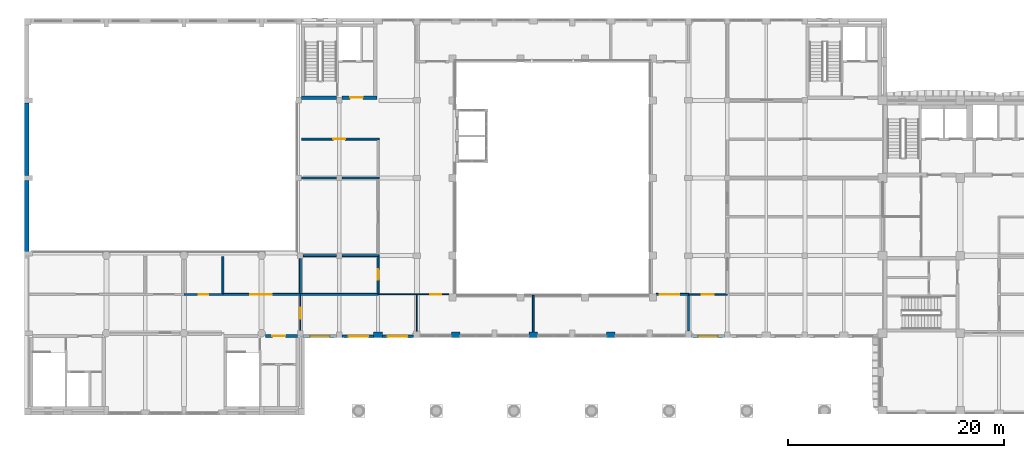
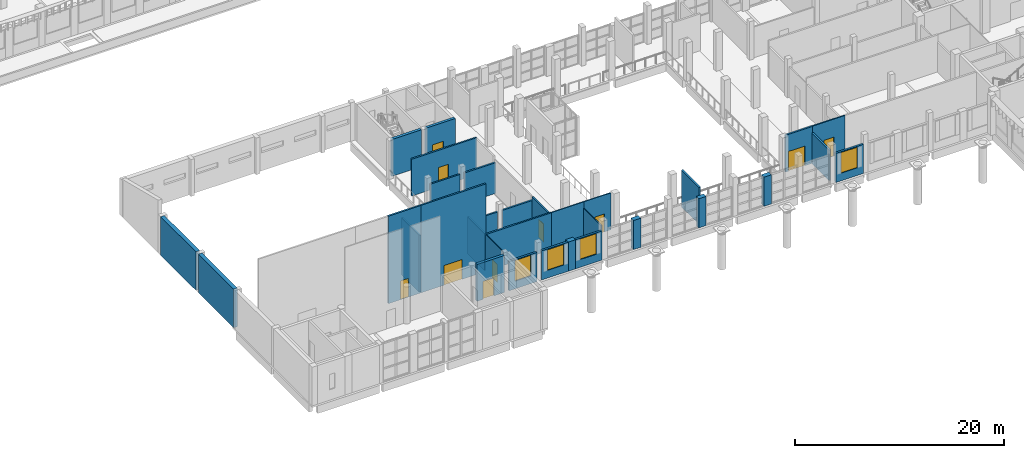
# One storey, part 19 of 59: 32 walls, 10 doors, 4 windows, 14 openings.
"""IFC4 building model written with IfcOpenShell, lengths in metres."""

from ifc_helpers import new_model, si_unit, direction, frame, frame_2d, origin, place, context, subcontext, project, spatial, rectangle, extrude, material, layer, layer_set, type_object, element, fill, save


model = new_model("IFC4")

# Units and contexts
model_context = context("Model", 3, precision=1e-05, world=origin(), true_north=direction((0.0, 1.0)))
body_context = subcontext(model_context, "Body", "Model", "MODEL_VIEW")
ifc_project = project(units=[si_unit("LENGTHUNIT", "METRE"), si_unit("AREAUNIT", "SQUARE_METRE"), si_unit("VOLUMEUNIT", "CUBIC_METRE"), si_unit("PLANEANGLEUNIT", "RADIAN"), si_unit("MASSUNIT", "GRAM", prefix="KILO")], contexts=[model_context])

# Site, building, storey
site_placement = place(None, origin())
site = spatial("IfcSite", under=ifc_project, at=site_placement, CompositionType="ELEMENT")
building_placement = place(site_placement, origin())
building = spatial("IfcBuilding", under=site, at=building_placement, Name="Ussher Court Research Institute", CompositionType="ELEMENT")
storey_placement = place(building_placement, frame((0.0, 0.0, 5.39990234375)))
storey = spatial("IfcBuildingStorey", under=building, at=storey_placement, Name="L01", CompositionType="ELEMENT", Elevation=5.39990234375)

# Wall, opening, door
ifc_material_1 = material(Name="Plasterboard on steel studs with mineral wool", Category="steel")
ifc_layer_1 = layer(ifc_material_1, 0.179931640625)
ifc_layer_set_1 = layer_set([ifc_layer_1], Name="Plasterboard on steel studs with mineral wool")
wall_type_1 = type_object("IfcWallType", Name="Acoustic twin-stud partition 180", PredefinedType="PARTITIONING", material=ifc_layer_set_1)
wall_1_placement = place(storey_placement, frame((17.39990234375, 14.800048828125, 0.0), z_axis=(0.0, 0.0, 1.0), x_axis=(1.0, 0.0, 0.0)))
wall_1 = element("IfcWall", 1, at=wall_1_placement, inside=storey, type_object=wall_type_1, Name="Partition", PredefinedType="PARTITIONING", context=body_context, shape_type="SweptSolid", body=[
    extrude(rectangle(XDim=3.60009765625, YDim=0.179931640625, at=frame_2d((1.800048828125, 0.0))), origin(), (0.0, 0.0, 1.0), 10.2001953125),
])
opening_1_placement = place(wall_1_placement, frame((1.35009765625, 0.0, 0.0)))
opening_1 = element("IfcOpeningElement", 2, at=opening_1_placement, cuts=wall_1, Name="Opening D01012", PredefinedType="OPENING", context=body_context, shape_type="SweptSolid", body=[
    extrude(rectangle(XDim=0.89990234375, YDim=2.199951171875, at=frame_2d((0.449951171875, 1.10009765625))), frame((0.0, 0.10009765625, 0.0), z_axis=(0.0, -1.0, 0.0), x_axis=(1.0, 0.0, 0.0)), (0.0, 0.0, 1.0), 0.199951171875),
])
ifc_material_2 = material(Name="Veneered timber door", Category="wood")
door_type_1 = type_object("IfcDoorType", Name="Control room door 900x2200", OperationType="NOTDEFINED", PredefinedType="DOOR", material=ifc_material_2)
door_1_placement = place(opening_1_placement, origin())
door_1 = element("IfcDoor", 3, at=door_1_placement, inside=storey, type_object=door_type_1, Name="Door D01012", OperationType="SINGLE_SWING_LEFT", OverallHeight=2.199951171875, OverallWidth=0.89990234375, PredefinedType="DOOR", context=body_context, shape_type="SweptSolid", body=[
    extrude(rectangle(XDim=0.89990234375, YDim=2.199951171875, at=frame_2d((0.449951171875, 1.10009765625))), frame((0.0, 0.02490234375, 0.0), z_axis=(0.0, -1.0, 0.0), x_axis=(1.0, 0.0, 0.0)), (0.0, 0.0, 1.0), 0.050048828125),
])
fill(opening_1, door_1)

wall_2_placement = place(storey_placement, frame((28.199951171875, 14.800048828125, 0.0), z_axis=(0.0, 0.0, 1.0), x_axis=(-1.0, 0.0, 0.0)))
wall_2 = element("IfcWall", 4, at=wall_2_placement, inside=storey, type_object=wall_type_1, Name="Partition", PredefinedType="PARTITIONING", context=body_context, shape_type="SweptSolid", body=[
    extrude(rectangle(XDim=7.199951171875, YDim=0.179931640625, at=frame_2d((3.60009765625, 0.0))), origin(), (0.0, 0.0, 1.0), 10.2001953125),
])
opening_2_placement = place(wall_2_placement, frame((2.64990234375, 0.0, 0.0)))
opening_2 = element("IfcOpeningElement", 5, at=opening_2_placement, cuts=wall_2, Name="Opening D01015", PredefinedType="OPENING", context=body_context, shape_type="SweptSolid", body=[
    extrude(rectangle(XDim=2.0, YDim=2.300048828125, at=frame_2d((1.0, 1.14990234375))), frame((0.0, 0.10009765625, 0.0), z_axis=(0.0, -1.0, 0.0), x_axis=(1.0, 0.0, 0.0)), (0.0, 0.0, 1.0), 0.199951171875),
])
ifc_material_3 = material(Name="Veneered timber door", Category="wood")
door_type_2 = type_object("IfcDoorType", Name="Tier access door 2000x2300 double leaf", OperationType="DOUBLE_DOOR_SINGLE_SWING", PredefinedType="DOOR", material=ifc_material_3)
door_2_placement = place(opening_2_placement, origin())
door_2 = element("IfcDoor", 6, at=door_2_placement, inside=storey, type_object=door_type_2, Name="Door D01015", OperationType="SINGLE_SWING_LEFT", OverallHeight=2.300048828125, OverallWidth=2.0, PredefinedType="DOOR", context=body_context, shape_type="SweptSolid", body=[
    extrude(rectangle(XDim=2.0, YDim=2.300048828125, at=frame_2d((1.0, 1.14990234375))), frame((0.0, 0.02490234375, 0.0), z_axis=(0.0, -1.0, 0.0), x_axis=(1.0, 0.0, 0.0)), (0.0, 0.0, 1.0), 0.050048828125),
])
fill(opening_2, door_2)

# Wall
wall_3_placement = place(storey_placement, frame((28.199951171875, 14.800048828125, 0.0), z_axis=(0.0, 0.0, 1.0), x_axis=(1.0, 0.0, 0.0)))
element("IfcWall", 7, at=wall_3_placement, inside=storey, type_object=wall_type_1, Name="Partition", PredefinedType="PARTITIONING", context=body_context, shape_type="SweptSolid", body=[
    extrude(rectangle(XDim=7.199951171875, YDim=0.179931640625, at=frame_2d((3.60009765625, 0.0))), origin(), (0.0, 0.0, 1.0), 4.300048828125),
])

# Wall, opening, door
wall_4_placement = place(storey_placement, frame((61.22509765625, 14.800048828125, 0.0), z_axis=(0.0, 0.0, 1.0), x_axis=(1.0, 0.0, 0.0)))
wall_4 = element("IfcWall", 8, at=wall_4_placement, inside=storey, type_object=wall_type_1, Name="Partition", PredefinedType="PARTITIONING", context=body_context, shape_type="SweptSolid", body=[
    extrude(rectangle(XDim=2.974853515625, YDim=0.179931640625, at=frame_2d((1.4873046875, 0.0))), origin(), (0.0, 0.0, 1.0), 4.300048828125),
])
opening_3_placement = place(wall_4_placement, frame((0.324951171875, 0.0, 0.0)))
opening_3 = element("IfcOpeningElement", 9, at=opening_3_placement, cuts=wall_4, Name="Opening D01040", PredefinedType="OPENING", context=body_context, shape_type="SweptSolid", body=[
    extrude(rectangle(XDim=1.800048828125, YDim=2.300048828125, at=frame_2d((0.89990234375, 1.14990234375))), frame((0.0, 0.10009765625, 0.0), z_axis=(0.0, -1.0, 0.0), x_axis=(1.0, 0.0, 0.0)), (0.0, 0.0, 1.0), 0.199951171875),
])
ifc_material_4 = material(Name="Veneered timber door", Category="wood")
door_type_3 = type_object("IfcDoorType", Name="Exhibition door 1800x2300 double leaf", OperationType="DOUBLE_DOOR_SINGLE_SWING", PredefinedType="DOOR", material=ifc_material_4)
door_3_placement = place(opening_3_placement, origin())
door_3 = element("IfcDoor", 10, at=door_3_placement, inside=storey, type_object=door_type_3, Name="Door D01040", OperationType="SINGLE_SWING_LEFT", OverallHeight=2.300048828125, OverallWidth=1.800048828125, PredefinedType="DOOR", context=body_context, shape_type="SweptSolid", body=[
    extrude(rectangle(XDim=1.800048828125, YDim=2.300048828125, at=frame_2d((0.89990234375, 1.14990234375))), frame((0.0, 0.02490234375, 0.0), z_axis=(0.0, -1.0, 0.0), x_axis=(1.0, 0.0, 0.0)), (0.0, 0.0, 1.0), 0.050048828125),
])
fill(opening_3, door_3)

# Walls
wall_5_placement = place(storey_placement, frame((28.449951171875, 18.39990234375, 0.0), z_axis=(0.0, 0.0, 1.0), x_axis=(1.0, 0.0, 0.0)))
element("IfcWall", 11, at=wall_5_placement, inside=storey, type_object=wall_type_1, Name="Partition", PredefinedType="PARTITIONING", context=body_context, shape_type="SweptSolid", body=[
    extrude(rectangle(XDim=3.10009765625, YDim=0.179931640625, at=frame_2d((1.550048828125, 0.0))), origin(), (0.0, 0.0, 1.0), 3.570068359375),
])
wall_6_placement = place(storey_placement, frame((32.050048828125, 18.39990234375, 0.0), z_axis=(0.0, 0.0, 1.0), x_axis=(1.0, 0.0, 0.0)))
element("IfcWall", 12, at=wall_6_placement, inside=storey, type_object=wall_type_1, Name="Partition", PredefinedType="PARTITIONING", context=body_context, shape_type="SweptSolid", body=[
    extrude(rectangle(XDim=3.43994140625, YDim=0.179931640625, at=frame_2d((1.719970703125, 0.0))), origin(), (0.0, 0.0, 1.0), 3.570068359375),
])
wall_7_placement = place(storey_placement, frame((28.300048828125, 25.60009765625, 0.0), z_axis=(0.0, 0.0, 1.0), x_axis=(1.0, 0.0, 0.0)))
element("IfcWall", 13, at=wall_7_placement, inside=storey, type_object=wall_type_1, Name="Partition", PredefinedType="PARTITIONING", context=body_context, shape_type="SweptSolid", body=[
    extrude(rectangle(XDim=3.25, YDim=0.179931640625, at=frame_2d((1.625, 0.0))), origin(), (0.0, 0.0, 1.0), 3.570068359375),
])
wall_8_placement = place(storey_placement, frame((32.050048828125, 25.60009765625, 0.0), z_axis=(0.0, 0.0, 1.0), x_axis=(1.0, 0.0, 0.0)))
element("IfcWall", 14, at=wall_8_placement, inside=storey, type_object=wall_type_1, Name="Partition", PredefinedType="PARTITIONING", context=body_context, shape_type="SweptSolid", body=[
    extrude(rectangle(XDim=3.43994140625, YDim=0.179931640625, at=frame_2d((1.719970703125, 0.0))), origin(), (0.0, 0.0, 1.0), 3.570068359375),
])

# Wall, opening, door
wall_9_placement = place(storey_placement, frame((35.489990234375, 29.199951171875, 0.0), z_axis=(0.0, 0.0, 1.0), x_axis=(-1.0, 0.0, 0.0)))
wall_9 = element("IfcWall", 15, at=wall_9_placement, inside=storey, type_object=wall_type_1, Name="Partition", PredefinedType="PARTITIONING", context=body_context, shape_type="SweptSolid", body=[
    extrude(rectangle(XDim=7.18994140625, YDim=0.179931640625, at=frame_2d((3.594970703125, 0.0))), origin(), (0.0, 0.0, 1.0), 4.300048828125),
])
opening_4_placement = place(wall_9_placement, frame((3.139892578125, 0.0, 0.0)))
opening_4 = element("IfcOpeningElement", 16, at=opening_4_placement, cuts=wall_9, Name="Opening D01022", PredefinedType="OPENING", context=body_context, shape_type="SweptSolid", body=[
    extrude(rectangle(XDim=1.10009765625, YDim=2.300048828125, at=frame_2d((0.550048828125, 1.14990234375))), frame((0.0, 0.10009765625, 0.0), z_axis=(0.0, -1.0, 0.0), x_axis=(1.0, 0.0, 0.0)), (0.0, 0.0, 1.0), 0.199951171875),
])
ifc_material_5 = material(Name="Veneered timber door", Category="wood")
door_type_4 = type_object("IfcDoorType", Name="Seminar room door 1100x2300", OperationType="NOTDEFINED", PredefinedType="DOOR", material=ifc_material_5)
door_4_placement = place(opening_4_placement, origin())
door_4 = element("IfcDoor", 17, at=door_4_placement, inside=storey, type_object=door_type_4, Name="Door D01022", OperationType="SINGLE_SWING_RIGHT", OverallHeight=2.300048828125, OverallWidth=1.10009765625, PredefinedType="DOOR", context=body_context, shape_type="SweptSolid", body=[
    extrude(rectangle(XDim=1.10009765625, YDim=2.300048828125, at=frame_2d((0.550048828125, 1.14990234375))), frame((0.0, 0.02490234375, 0.0), z_axis=(0.0, -1.0, 0.0), x_axis=(1.0, 0.0, 0.0)), (0.0, 0.0, 1.0), 0.050048828125),
])
fill(opening_4, door_4)

# Walls
wall_10_placement = place(storey_placement, frame((21.0, 14.889892578125, 0.0), z_axis=(0.0, 0.0, 1.0), x_axis=(0.0, 1.0, 0.0)))
element("IfcWall", 18, at=wall_10_placement, inside=storey, type_object=wall_type_1, Name="Partition", PredefinedType="PARTITIONING", context=body_context, shape_type="SweptSolid", body=[
    extrude(rectangle(XDim=3.41015625, YDim=0.179931640625, at=frame_2d((1.705078125, 0.0))), origin(), (0.0, 0.0, 1.0), 6.631103515625),
])
wall_11_placement = place(storey_placement, frame((28.199951171875, 14.889892578125, 0.0), z_axis=(0.0, 0.0, 1.0), x_axis=(0.0, 1.0, 0.0)))
element("IfcWall", 19, at=wall_11_placement, inside=storey, type_object=wall_type_1, Name="Partition", PredefinedType="PARTITIONING", context=body_context, shape_type="SweptSolid", body=[
    extrude(rectangle(XDim=3.260009765625, YDim=0.179931640625, at=frame_2d((1.6298828125, 0.0))), origin(), (0.0, 0.0, 1.0), 4.300048828125),
])

# Wall, opening, door
wall_12_placement = place(storey_placement, frame((35.39990234375, 14.85009765625, 0.0), z_axis=(0.0, 0.0, 1.0), x_axis=(0.0, 1.0, 0.0)))
wall_12 = element("IfcWall", 20, at=wall_12_placement, inside=storey, type_object=wall_type_1, Name="Partition", PredefinedType="PARTITIONING", context=body_context, shape_type="SweptSolid", body=[
    extrude(rectangle(XDim=3.4599609375, YDim=0.179931640625, at=frame_2d((1.72998046875, 0.0))), origin(), (0.0, 0.0, 1.0), 4.02001953125),
])
opening_5_placement = place(wall_12_placement, frame((1.300048828125, 0.0, 0.0)))
opening_5 = element("IfcOpeningElement", 21, at=opening_5_placement, cuts=wall_12, Name="Opening D01026", PredefinedType="OPENING", context=body_context, shape_type="SweptSolid", body=[
    extrude(rectangle(XDim=1.0, YDim=2.10009765625, at=frame_2d((0.5, 1.050048828125))), frame((0.0, 0.10009765625, 0.0), z_axis=(0.0, -1.0, 0.0), x_axis=(1.0, 0.0, 0.0)), (0.0, 0.0, 1.0), 0.199951171875),
])
ifc_material_6 = material(Name="Veneered timber door", Category="wood")
door_type_5 = type_object("IfcDoorType", Name="Meeting room door 1000x2100", OperationType="NOTDEFINED", PredefinedType="DOOR", material=ifc_material_6)
door_5_placement = place(opening_5_placement, origin())
door_5 = element("IfcDoor", 22, at=door_5_placement, inside=storey, type_object=door_type_5, Name="Door D01026", OperationType="SINGLE_SWING_RIGHT", OverallHeight=2.10009765625, OverallWidth=1.0, PredefinedType="DOOR", context=body_context, shape_type="SweptSolid", body=[
    extrude(rectangle(XDim=1.0, YDim=2.10009765625, at=frame_2d((0.5, 1.050048828125))), frame((0.0, 0.02490234375, 0.0), z_axis=(0.0, -1.0, 0.0), x_axis=(1.0, 0.0, 0.0)), (0.0, 0.0, 1.0), 0.050048828125),
])
fill(opening_5, door_5)

# Walls
wall_13_placement = place(storey_placement, frame((49.800048828125, 11.300048828125, 0.0), z_axis=(0.0, 0.0, 1.0), x_axis=(0.0, 1.0, 0.0)))
element("IfcWall", 23, at=wall_13_placement, inside=storey, type_object=wall_type_1, Name="Partition", PredefinedType="PARTITIONING", context=body_context, shape_type="SweptSolid", body=[
    extrude(rectangle(XDim=3.39990234375, YDim=0.179931640625, at=frame_2d((1.699951171875, 0.0))), origin(), (0.0, 0.0, 1.0), 4.300048828125),
])
wall_14_placement = place(storey_placement, frame((64.199951171875, 11.39990234375, 0.0), z_axis=(0.0, 0.0, 1.0), x_axis=(0.0, 1.0, 0.0)))
element("IfcWall", 24, at=wall_14_placement, inside=storey, type_object=wall_type_1, Name="Partition", PredefinedType="PARTITIONING", context=body_context, shape_type="SweptSolid", body=[
    extrude(rectangle(XDim=3.330078125, YDim=0.179931640625, at=frame_2d((1.6650390625, 0.0))), origin(), (0.0, 0.0, 1.0), 3.570068359375),
])
ifc_material_7 = material(Name="Concrete C35/45", Category="concrete")
ifc_layer_2 = layer(ifc_material_7, 0.419921875)
ifc_layer_set_2 = layer_set([ifc_layer_2], Name="Concrete C35/45")
wall_type_2 = type_object("IfcWallType", Name="Blind west wall 420 reinforced concrete limestone faced", PredefinedType="SOLIDWALL", material=ifc_layer_set_2)
for number, where, z_axis, x_axis, name in (
    (25, (2.81005859375, 18.625, 0.0), (0.0, 0.0, 1.0), (0.0, 1.0, 0.0), "RC wall RW2 west"),
    (26, (2.81005859375, 25.824951171875, 0.0), (0.0, 0.0, 1.0), (0.0, 1.0, 0.0), "RC wall RW2 west"),
):
    element("IfcWall", number, at=place(storey_placement, frame(where, z_axis=z_axis, x_axis=x_axis)), inside=storey, type_object=wall_type_2, Name=name, PredefinedType="SOLIDWALL", context=body_context, shape_type="SweptSolid", body=[
        extrude(rectangle(XDim=6.75, YDim=0.419921875, at=frame_2d((3.375, 0.0))), origin(), (0.0, 0.0, 1.0), 4.5),
    ])

# Wall, opening, door
ifc_material_8 = material(Name="Plastered blockwork", Category="masonry")
ifc_layer_3 = layer(ifc_material_8, 0.139892578125)
ifc_layer_set_3 = layer_set([ifc_layer_3], Name="Plastered blockwork")
wall_type_3 = type_object("IfcWallType", Name="Laboratory blockwork partition 140", PredefinedType="PARTITIONING", material=ifc_layer_set_3)
wall_15_placement = place(storey_placement, frame((67.800048828125, 14.800048828125, 0.0), z_axis=(0.0, 0.0, 1.0), x_axis=(-1.0, 0.0, 0.0)))
wall_15 = element("IfcWall", 27, at=wall_15_placement, inside=storey, type_object=wall_type_3, Name="Partition", PredefinedType="PARTITIONING", context=body_context, shape_type="SweptSolid", body=[
    extrude(rectangle(XDim=3.60009765625, YDim=0.139892578125, at=frame_2d((1.800048828125, 0.0))), origin(), (0.0, 0.0, 1.0), 4.300048828125),
])
opening_6_placement = place(wall_15_placement, frame((1.25, 0.0, 0.0)))
opening_6 = element("IfcOpeningElement", 28, at=opening_6_placement, cuts=wall_15, Name="Opening D01042", PredefinedType="OPENING", context=body_context, shape_type="SweptSolid", body=[
    extrude(rectangle(XDim=1.10009765625, YDim=2.199951171875, at=frame_2d((0.550048828125, 1.10009765625))), frame((0.0, 0.080078125, 0.0), z_axis=(0.0, -1.0, 0.0), x_axis=(1.0, 0.0, 0.0)), (0.0, 0.0, 1.0), 0.159912109375),
])
ifc_material_9 = material(Name="Veneered timber door", Category="wood")
door_type_6 = type_object("IfcDoorType", Name="Computing laboratory door 1100x2200", OperationType="NOTDEFINED", PredefinedType="DOOR", material=ifc_material_9)
door_6_placement = place(opening_6_placement, origin())
door_6 = element("IfcDoor", 29, at=door_6_placement, inside=storey, type_object=door_type_6, Name="Door D01042", OperationType="SINGLE_SWING_LEFT", OverallHeight=2.199951171875, OverallWidth=1.10009765625, PredefinedType="DOOR", context=body_context, shape_type="SweptSolid", body=[
    extrude(rectangle(XDim=1.10009765625, YDim=2.199951171875, at=frame_2d((0.550048828125, 1.10009765625))), frame((0.0, 0.02490234375, 0.0), z_axis=(0.0, -1.0, 0.0), x_axis=(1.0, 0.0, 0.0)), (0.0, 0.0, 1.0), 0.050048828125),
])
fill(opening_6, door_6)

# Wall, opening, window
ifc_material_10 = material(Name="Limestone facing on insulated blockwork", Category="masonry")
ifc_layer_4 = layer(ifc_material_10, 0.219970703125)
ifc_layer_set_4 = layer_set([ifc_layer_4], Name="Limestone facing on insulated blockwork")
wall_type_4 = type_object("IfcWallType", Name="Link wall 220 limestone faced insulated block", PredefinedType="SOLIDWALL", material=ifc_layer_set_4)
wall_16_placement = place(storey_placement, frame((67.550048828125, 10.909912109375, 0.0), z_axis=(0.0, 0.0, 1.0), x_axis=(-1.0, 0.0, 0.0)))
wall_16 = element("IfcWall", 30, at=wall_16_placement, inside=storey, type_object=wall_type_4, Name="External wall EW6 L01", PredefinedType="SOLIDWALL", context=body_context, shape_type="SweptSolid", body=[
    extrude(rectangle(XDim=3.050048828125, YDim=0.219970703125, at=frame_2d((1.52490234375, 0.0))), origin(), (0.0, 0.0, 1.0), 3.400146484375),
])
opening_7_placement = place(wall_16_placement, frame((0.64990234375, 0.0, 0.89990234375)))
opening_7 = element("IfcOpeningElement", 31, at=opening_7_placement, cuts=wall_16, Name="Opening W05", PredefinedType="OPENING", context=body_context, shape_type="SweptSolid", body=[
    extrude(rectangle(XDim=1.800048828125, YDim=2.39990234375, at=frame_2d((0.89990234375, 1.199951171875))), frame((0.0, 0.1201171875, 0.0), z_axis=(0.0, -1.0, 0.0), x_axis=(1.0, 0.0, 0.0)), (0.0, 0.0, 1.0), 0.239990234375),
])
ifc_material_11 = material(Name="Bronze anodised aluminium with double glazing", Category="aluminium")
window_type = type_object("IfcWindowType", Name="Reading link window 1800x2400", PartitioningType="DOUBLE_PANEL_VERTICAL", PredefinedType="WINDOW", material=ifc_material_11)
window_1_placement = place(opening_7_placement, origin())
window_1 = element("IfcWindow", 32, at=window_1_placement, inside=storey, type_object=window_type, Name="Window W05 L01", OverallHeight=2.39990234375, OverallWidth=1.800048828125, PartitioningType="SINGLE_PANEL", PredefinedType="WINDOW", context=body_context, shape_type="SweptSolid", body=[
    extrude(rectangle(XDim=1.800048828125, YDim=2.39990234375, at=frame_2d((0.89990234375, 1.199951171875))), frame((0.0, 0.030029296875, 0.0), z_axis=(0.0, -1.0, 0.0), x_axis=(1.0, 0.0, 0.0)), (0.0, 0.0, 1.0), 0.06005859375),
])
fill(opening_7, window_1)

wall_17_placement = place(storey_placement, frame((38.699951171875, 10.909912109375, 0.0), z_axis=(0.0, 0.0, 1.0), x_axis=(-1.0, 0.0, 0.0)))
wall_17 = element("IfcWall", 33, at=wall_17_placement, inside=storey, type_object=wall_type_4, Name="External wall EW6 L01", PredefinedType="SOLIDWALL", context=body_context, shape_type="SweptSolid", body=[
    extrude(rectangle(XDim=2.89990234375, YDim=0.219970703125, at=frame_2d((1.449951171875, 0.0))), origin(), (0.0, 0.0, 1.0), 3.400146484375),
])
opening_8_placement = place(wall_17_placement, frame((0.60009765625, 0.0, 0.89990234375)))
opening_8 = element("IfcOpeningElement", 34, at=opening_8_placement, cuts=wall_17, Name="Opening W05", PredefinedType="OPENING", context=body_context, shape_type="SweptSolid", body=[
    extrude(rectangle(XDim=1.800048828125, YDim=2.39990234375, at=frame_2d((0.89990234375, 1.199951171875))), frame((0.0, 0.1201171875, 0.0), z_axis=(0.0, -1.0, 0.0), x_axis=(1.0, 0.0, 0.0)), (0.0, 0.0, 1.0), 0.239990234375),
])
window_2_placement = place(opening_8_placement, origin())
window_2 = element("IfcWindow", 35, at=window_2_placement, inside=storey, type_object=window_type, Name="Window W05 L01", OverallHeight=2.39990234375, OverallWidth=1.800048828125, PartitioningType="SINGLE_PANEL", PredefinedType="WINDOW", context=body_context, shape_type="SweptSolid", body=[
    extrude(rectangle(XDim=1.800048828125, YDim=2.39990234375, at=frame_2d((0.89990234375, 1.199951171875))), frame((0.0, 0.030029296875, 0.0), z_axis=(0.0, -1.0, 0.0), x_axis=(1.0, 0.0, 0.0)), (0.0, 0.0, 1.0), 0.06005859375),
])
fill(opening_8, window_2)

wall_18_placement = place(storey_placement, frame((35.0, 10.909912109375, 0.0), z_axis=(0.0, 0.0, 1.0), x_axis=(-1.0, 0.0, 0.0)))
wall_18 = element("IfcWall", 36, at=wall_18_placement, inside=storey, type_object=wall_type_4, Name="External wall EW6 L01", PredefinedType="SOLIDWALL", context=body_context, shape_type="SweptSolid", body=[
    extrude(rectangle(XDim=2.949951171875, YDim=0.219970703125, at=frame_2d((1.47509765625, 0.0))), origin(), (0.0, 0.0, 1.0), 3.400146484375),
])
opening_9_placement = place(wall_18_placement, frame((0.5, 0.0, 0.89990234375)))
opening_9 = element("IfcOpeningElement", 37, at=opening_9_placement, cuts=wall_18, Name="Opening W05", PredefinedType="OPENING", context=body_context, shape_type="SweptSolid", body=[
    extrude(rectangle(XDim=1.800048828125, YDim=2.39990234375, at=frame_2d((0.89990234375, 1.199951171875))), frame((0.0, 0.1201171875, 0.0), z_axis=(0.0, -1.0, 0.0), x_axis=(1.0, 0.0, 0.0)), (0.0, 0.0, 1.0), 0.239990234375),
])
window_3_placement = place(opening_9_placement, origin())
window_3 = element("IfcWindow", 38, at=window_3_placement, inside=storey, type_object=window_type, Name="Window W05 L01", OverallHeight=2.39990234375, OverallWidth=1.800048828125, PartitioningType="SINGLE_PANEL", PredefinedType="WINDOW", context=body_context, shape_type="SweptSolid", body=[
    extrude(rectangle(XDim=1.800048828125, YDim=2.39990234375, at=frame_2d((0.89990234375, 1.199951171875))), frame((0.0, 0.030029296875, 0.0), z_axis=(0.0, -1.0, 0.0), x_axis=(1.0, 0.0, 0.0)), (0.0, 0.0, 1.0), 0.06005859375),
])
fill(opening_9, window_3)

wall_19_placement = place(storey_placement, frame((31.550048828125, 10.909912109375, 0.0), z_axis=(0.0, 0.0, 1.0), x_axis=(-1.0, 0.0, 0.0)))
wall_19 = element("IfcWall", 39, at=wall_19_placement, inside=storey, type_object=wall_type_4, Name="External wall EW6 L01", PredefinedType="SOLIDWALL", context=body_context, shape_type="SweptSolid", body=[
    extrude(rectangle(XDim=3.10009765625, YDim=0.219970703125, at=frame_2d((1.550048828125, 0.0))), origin(), (0.0, 0.0, 1.0), 3.400146484375),
])
opening_10_placement = place(wall_19_placement, frame((0.64990234375, 0.0, 0.89990234375)))
opening_10 = element("IfcOpeningElement", 40, at=opening_10_placement, cuts=wall_19, Name="Opening W05", PredefinedType="OPENING", context=body_context, shape_type="SweptSolid", body=[
    extrude(rectangle(XDim=1.800048828125, YDim=2.39990234375, at=frame_2d((0.89990234375, 1.199951171875))), frame((0.0, 0.1201171875, 0.0), z_axis=(0.0, -1.0, 0.0), x_axis=(1.0, 0.0, 0.0)), (0.0, 0.0, 1.0), 0.239990234375),
])
window_4_placement = place(opening_10_placement, origin())
window_4 = element("IfcWindow", 41, at=window_4_placement, inside=storey, type_object=window_type, Name="Window W05 L01", OverallHeight=2.39990234375, OverallWidth=1.800048828125, PartitioningType="SINGLE_PANEL", PredefinedType="WINDOW", context=body_context, shape_type="SweptSolid", body=[
    extrude(rectangle(XDim=1.800048828125, YDim=2.39990234375, at=frame_2d((0.89990234375, 1.199951171875))), frame((0.0, 0.030029296875, 0.0), z_axis=(0.0, -1.0, 0.0), x_axis=(1.0, 0.0, 0.0)), (0.0, 0.0, 1.0), 0.06005859375),
])
fill(opening_10, window_4)

# Wall
ifc_material_12 = material(Name="Plastered blockwork", Category="masonry")
ifc_layer_5 = layer(ifc_material_12, 0.10009765625)
ifc_layer_set_5 = layer_set([ifc_layer_5], Name="Plastered blockwork")
wall_type_5 = type_object("IfcWallType", Name="Partition plastered blockwork 100", PredefinedType="PARTITIONING", material=ifc_layer_set_5)
wall_20_placement = place(storey_placement, frame((35.39990234375, 14.800048828125, 0.0), z_axis=(0.0, 0.0, 1.0), x_axis=(1.0, 0.0, 0.0)))
element("IfcWall", 42, at=wall_20_placement, inside=storey, type_object=wall_type_5, Name="Partition", PredefinedType="PARTITIONING", context=body_context, shape_type="SweptSolid", body=[
    extrude(rectangle(XDim=3.60009765625, YDim=0.10009765625, at=frame_2d((1.800048828125, 0.0))), origin(), (0.0, 0.0, 1.0), 4.300048828125),
])

# Wall, opening, door
wall_21_placement = place(storey_placement, frame((41.97509765625, 14.800048828125, 0.0), z_axis=(0.0, 0.0, 1.0), x_axis=(-1.0, 0.0, 0.0)))
wall_21 = element("IfcWall", 43, at=wall_21_placement, inside=storey, type_object=wall_type_5, Name="Partition", PredefinedType="PARTITIONING", context=body_context, shape_type="SweptSolid", body=[
    extrude(rectangle(XDim=2.97509765625, YDim=0.10009765625, at=frame_2d((1.487548828125, 0.0))), origin(), (0.0, 0.0, 1.0), 4.300048828125),
])
opening_11_placement = place(wall_21_placement, frame((0.72509765625, 0.0, 0.0)))
opening_11 = element("IfcOpeningElement", 44, at=opening_11_placement, cuts=wall_21, Name="Opening D01029", PredefinedType="OPENING", context=body_context, shape_type="SweptSolid", body=[
    extrude(rectangle(XDim=1.0, YDim=2.10009765625, at=frame_2d((0.5, 1.050048828125))), frame((0.0, 0.06005859375, 0.0), z_axis=(0.0, -1.0, 0.0), x_axis=(1.0, 0.0, 0.0)), (0.0, 0.0, 1.0), 0.1201171875),
])
ifc_material_13 = material(Name="Veneered timber door", Category="wood")
door_type_7 = type_object("IfcDoorType", Name="Lounge door 1000x2100", OperationType="NOTDEFINED", PredefinedType="DOOR", material=ifc_material_13)
door_7_placement = place(opening_11_placement, origin())
door_7 = element("IfcDoor", 45, at=door_7_placement, inside=storey, type_object=door_type_7, Name="Door D01029", OperationType="SINGLE_SWING_LEFT", OverallHeight=2.10009765625, OverallWidth=1.0, PredefinedType="DOOR", context=body_context, shape_type="SweptSolid", body=[
    extrude(rectangle(XDim=1.0, YDim=2.10009765625, at=frame_2d((0.5, 1.050048828125))), frame((0.0, 0.02490234375, 0.0), z_axis=(0.0, -1.0, 0.0), x_axis=(1.0, 0.0, 0.0)), (0.0, 0.0, 1.0), 0.050048828125),
])
fill(opening_11, door_7)

wall_22_placement = place(storey_placement, frame((28.199951171875, 14.7099609375, 0.0), z_axis=(0.0, 0.0, 1.0), x_axis=(0.0, -1.0, 0.0)))
wall_22 = element("IfcWall", 46, at=wall_22_placement, inside=storey, type_object=wall_type_5, Name="Partition", PredefinedType="PARTITIONING", context=body_context, shape_type="SweptSolid", body=[
    extrude(rectangle(XDim=3.260009765625, YDim=0.10009765625, at=frame_2d((1.6298828125, 0.0))), origin(), (0.0, 0.0, 1.0), 4.300048828125),
])
opening_12_placement = place(wall_22_placement, frame((1.159912109375, 0.0, 0.0)))
opening_12 = element("IfcOpeningElement", 47, at=opening_12_placement, cuts=wall_22, Name="Opening D01020", PredefinedType="OPENING", context=body_context, shape_type="SweptSolid", body=[
    extrude(rectangle(XDim=1.0, YDim=2.10009765625, at=frame_2d((0.5, 1.050048828125))), frame((0.0, 0.06005859375, 0.0), z_axis=(0.0, -1.0, 0.0), x_axis=(1.0, 0.0, 0.0)), (0.0, 0.0, 1.0), 0.1201171875),
])
door_8_placement = place(opening_12_placement, origin())
door_8 = element("IfcDoor", 48, at=door_8_placement, inside=storey, type_object=door_type_7, Name="Door D01020", OperationType="SINGLE_SWING_RIGHT", OverallHeight=2.10009765625, OverallWidth=1.0, PredefinedType="DOOR", context=body_context, shape_type="SweptSolid", body=[
    extrude(rectangle(XDim=1.0, YDim=2.10009765625, at=frame_2d((0.5, 1.050048828125))), frame((0.0, 0.02490234375, 0.0), z_axis=(0.0, -1.0, 0.0), x_axis=(1.0, 0.0, 0.0)), (0.0, 0.0, 1.0), 0.050048828125),
])
fill(opening_12, door_8)

# Walls
wall_23_placement = place(storey_placement, frame((39.0, 11.39990234375, 0.0), z_axis=(0.0, 0.0, 1.0), x_axis=(0.0, 1.0, 0.0)))
element("IfcWall", 49, at=wall_23_placement, inside=storey, type_object=wall_type_5, Name="Partition", PredefinedType="PARTITIONING", context=body_context, shape_type="SweptSolid", body=[
    extrude(rectangle(XDim=3.35009765625, YDim=0.10009765625, at=frame_2d((1.675048828125, 0.0))), origin(), (0.0, 0.0, 1.0), 3.570068359375),
])
ifc_material_14 = material(Name="Rusticated limestone facing on blockwork", Category="masonry")
ifc_layer_6 = layer(ifc_material_14, 0.5)
ifc_layer_set_6 = layer_set([ifc_layer_6], Name="Rusticated limestone facing on blockwork")
wall_type_6 = type_object("IfcWallType", Name="Pier 800x500 rusticated limestone", PredefinedType="SOLIDWALL", material=ifc_layer_set_6)
wall_24_placement = place(storey_placement, frame((57.39990234375, 11.050048828125, 0.0), z_axis=(0.0, 0.0, 1.0), x_axis=(-1.0, 0.0, 0.0)))
element("IfcWall", 50, at=wall_24_placement, inside=storey, type_object=wall_type_6, Name="Pier PR2 L01", PredefinedType="SOLIDWALL", context=body_context, shape_type="SweptSolid", body=[
    extrude(rectangle(XDim=0.7998046875, YDim=0.5, at=frame_2d((0.39990234375, 0.0))), origin(), (0.0, 0.0, 1.0), 3.400146484375),
])
for number, where, z_axis, x_axis, name in (
    (51, (50.199951171875, 11.050048828125, 0.0), (0.0, 0.0, 1.0), (-1.0, 0.0, 0.0), "Pier PR2 L01"),
    (52, (43.0, 11.050048828125, 0.0), (0.0, 0.0, 1.0), (-1.0, 0.0, 0.0), "Pier PR2 L01"),
    (53, (35.800048828125, 11.050048828125, 0.0), (0.0, 0.0, 1.0), (-1.0, 0.0, 0.0), "Pier PR2 L01"),
):
    element("IfcWall", number, at=place(storey_placement, frame(where, z_axis=z_axis, x_axis=x_axis)), inside=storey, type_object=wall_type_6, Name=name, PredefinedType="SOLIDWALL", context=body_context, shape_type="SweptSolid", body=[
        extrude(rectangle(XDim=0.800048828125, YDim=0.5, at=frame_2d((0.39990234375, 0.0))), origin(), (0.0, 0.0, 1.0), 3.400146484375),
    ])

# Wall, opening, door
ifc_material_15 = material(Name="Concrete C35/45", Category="concrete")
ifc_layer_7 = layer(ifc_material_15, 0.300048828125)
ifc_layer_set_7 = layer_set([ifc_layer_7], Name="Concrete C35/45")
wall_type_7 = type_object("IfcWallType", Name="RC core wall 300", PredefinedType="SHEAR", material=ifc_layer_set_7)
wall_25_placement = place(storey_placement, frame((27.949951171875, 10.949951171875, 0.0), z_axis=(0.0, 0.0, 1.0), x_axis=(-1.0, 0.0, 0.0)))
wall_25 = element("IfcWall", 54, at=wall_25_placement, inside=storey, type_object=wall_type_7, Name="Core wall H2", PredefinedType="SHEAR", context=body_context, shape_type="SweptSolid", body=[
    extrude(rectangle(XDim=3.0, YDim=0.300048828125, at=frame_2d((1.5, 0.0))), origin(), (0.0, 0.0, 1.0), 4.300048828125),
])
opening_13_placement = place(wall_25_placement, frame((1.14990234375, 0.0, 0.0)))
opening_13 = element("IfcOpeningElement", 55, at=opening_13_placement, cuts=wall_25, Name="Opening D01018", PredefinedType="OPENING", context=body_context, shape_type="SweptSolid", body=[
    extrude(rectangle(XDim=1.199951171875, YDim=2.10009765625, at=frame_2d((0.60009765625, 1.050048828125))), frame((0.0, 0.16015625, 0.0), z_axis=(0.0, -1.0, 0.0), x_axis=(1.0, 0.0, 0.0)), (0.0, 0.0, 1.0), 0.320068359375),
])
ifc_material_16 = material(Name="Painted steel faced fire door", Category="steel")
door_type_8 = type_object("IfcDoorType", Name="Fire door 1200x2100 FD60", OperationType="NOTDEFINED", PredefinedType="DOOR", material=ifc_material_16)
door_9_placement = place(opening_13_placement, origin())
door_9 = element("IfcDoor", 56, at=door_9_placement, inside=storey, type_object=door_type_8, Name="Door D01018", OperationType="SINGLE_SWING_RIGHT", OverallHeight=2.10009765625, OverallWidth=1.199951171875, PredefinedType="DOOR", context=body_context, shape_type="SweptSolid", body=[
    extrude(rectangle(XDim=1.199951171875, YDim=2.10009765625, at=frame_2d((0.60009765625, 1.050048828125))), frame((0.0, 0.02490234375, 0.0), z_axis=(0.0, -1.0, 0.0), x_axis=(1.0, 0.0, 0.0)), (0.0, 0.0, 1.0), 0.050048828125),
])
fill(opening_13, door_9)

# Wall
wall_26_placement = place(storey_placement, frame((28.300048828125, 33.050048828125, 0.0), z_axis=(0.0, 0.0, 1.0), x_axis=(1.0, 0.0, 0.0)))
element("IfcWall", 57, at=wall_26_placement, inside=storey, type_object=wall_type_7, Name="Core wall W1", PredefinedType="SHEAR", context=body_context, shape_type="SweptSolid", body=[
    extrude(rectangle(XDim=3.25, YDim=0.300048828125, at=frame_2d((1.625, 0.0))), origin(), (0.0, 0.0, 1.0), 4.300048828125),
])

# Wall, opening, door
wall_27_placement = place(storey_placement, frame((32.050048828125, 33.050048828125, 0.0), z_axis=(0.0, 0.0, 1.0), x_axis=(1.0, 0.0, 0.0)))
wall_27 = element("IfcWall", 58, at=wall_27_placement, inside=storey, type_object=wall_type_7, Name="Core wall W1", PredefinedType="SHEAR", context=body_context, shape_type="SweptSolid", body=[
    extrude(rectangle(XDim=3.25, YDim=0.300048828125, at=frame_2d((1.625, 0.0))), origin(), (0.0, 0.0, 1.0), 4.300048828125),
])
opening_14_placement = place(wall_27_placement, frame((0.75, 0.0, 0.0)))
opening_14 = element("IfcOpeningElement", 59, at=opening_14_placement, cuts=wall_27, Name="Opening D01023", PredefinedType="OPENING", context=body_context, shape_type="SweptSolid", body=[
    extrude(rectangle(XDim=1.199951171875, YDim=2.10009765625, at=frame_2d((0.60009765625, 1.050048828125))), frame((0.0, 0.16015625, 0.0), z_axis=(0.0, -1.0, 0.0), x_axis=(1.0, 0.0, 0.0)), (0.0, 0.0, 1.0), 0.320068359375),
])
door_10_placement = place(opening_14_placement, origin())
door_10 = element("IfcDoor", 60, at=door_10_placement, inside=storey, type_object=door_type_8, Name="Door D01023", OperationType="SINGLE_SWING_LEFT", OverallHeight=2.10009765625, OverallWidth=1.199951171875, PredefinedType="DOOR", context=body_context, shape_type="SweptSolid", body=[
    extrude(rectangle(XDim=1.199951171875, YDim=2.10009765625, at=frame_2d((0.60009765625, 1.050048828125))), frame((0.0, 0.02490234375, 0.0), z_axis=(0.0, -1.0, 0.0), x_axis=(1.0, 0.0, 0.0)), (0.0, 0.0, 1.0), 0.050048828125),
])
fill(opening_14, door_10)

save(model, "model.ifc")
